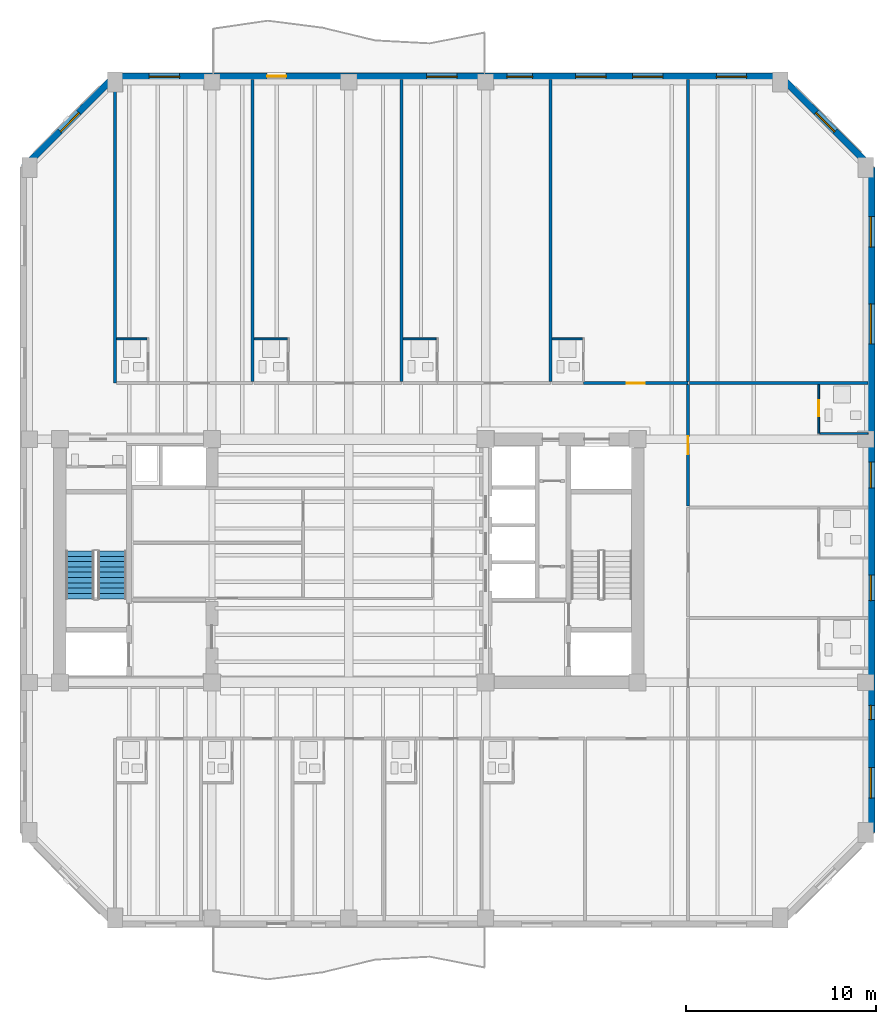
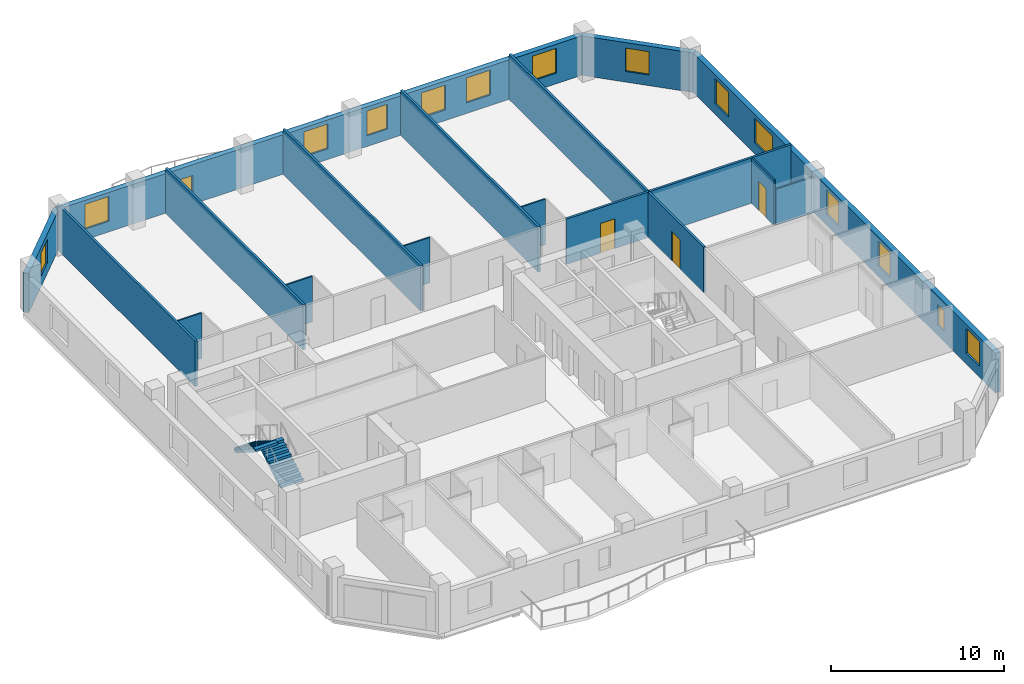
# One storey, part 6 of 11: 18 walls, 14 windows, 4 doors, 2 stair flights, 18 openings, 1 element without a shape of its own.
"""IFC4 building model written with IfcOpenShell, lengths in metres."""

from ifc_helpers import new_model, si_unit, direction, frame, frame_2d, origin, place, context, subcontext, project, spatial, polyline, rectangle, outline, extrude, material, layer, layer_set, type_object, element, fill, aggregate, save


model = new_model("IFC4")

# Units and contexts
model_context = context("Model", 3, precision=1e-05, world=origin(), true_north=direction((0.0, 1.0)))
body_context = subcontext(model_context, "Body", "Model", "MODEL_VIEW")
ifc_project = project(units=[si_unit("LENGTHUNIT", "METRE"), si_unit("AREAUNIT", "SQUARE_METRE"), si_unit("VOLUMEUNIT", "CUBIC_METRE"), si_unit("PLANEANGLEUNIT", "RADIAN"), si_unit("MASSUNIT", "GRAM", prefix="KILO")], contexts=[model_context])

# Site, building, storey
site_placement = place(None, origin())
site = spatial("IfcSite", under=ifc_project, at=site_placement, CompositionType="ELEMENT")
building_placement = place(site_placement, origin())
building = spatial("IfcBuilding", under=site, at=building_placement, Name="Kranthara Brick Stack", CompositionType="ELEMENT")
storey_placement = place(building_placement, frame((0.0, 0.0, 176.300048828125)))
storey = spatial("IfcBuildingStorey", under=building, at=storey_placement, Name="L45", CompositionType="ELEMENT", Elevation=176.300048828125)

# Wall, opening, window
ifc_material_1 = material(Name="Kiln-fired clay brick masonry M15", Category="masonry")
ifc_layer_1 = layer(ifc_material_1, 0.35009765625)
ifc_layer_set_1 = layer_set([ifc_layer_1], Name="Kiln-fired clay brick masonry M15")
wall_type_1 = type_object("IfcWallType", Name="WL-BRK-SPND-350", PredefinedType="STANDARD", material=ifc_layer_set_1)
wall_1_placement = place(storey_placement, frame((10.89501953125, 47.89990234375, 0.0), z_axis=(0.0, 0.0, 1.0), x_axis=(0.707088817216, 0.7071247447, 0.0)))
wall_1 = element("IfcWall", 1, at=wall_1_placement, inside=storey, type_object=wall_type_1, Name="L45 Exterior Brick Facade Wall NW 1", PredefinedType="STANDARD", context=body_context, shape_type="SweptSolid", body=[
    extrude(rectangle(XDim=6.79541015625, YDim=0.35009765625, at=frame_2d((3.397705078125, 0.0))), origin(), (0.0, 0.0, 1.0), 2.784912109375),
])
opening_1_placement = place(wall_1_placement, frame((2.697998046875, 0.0, 0.75)))
opening_1 = element("IfcOpeningElement", 2, at=opening_1_placement, cuts=wall_1, Name="Opening WN10", PredefinedType="OPENING", context=body_context, shape_type="SweptSolid", body=[
    extrude(rectangle(XDim=1.39990234375, YDim=1.64990234375, at=frame_2d((0.699951171875, 0.824951171875))), frame((0.0, 0.18505859375, 0.0), z_axis=(0.0, -1.0, 0.0), x_axis=(1.0, 0.0, 0.0)), (0.0, 0.0, 1.0), 0.3701171875),
])
ifc_material_2 = material(Name="Double-glazed low-E solar control glass", Category="glass")
window_type_1 = type_object("IfcWindowType", Name="WN-CHM-1400x1750", PartitioningType="SINGLE_PANEL", PredefinedType="WINDOW", material=ifc_material_2)
window_1_placement = place(opening_1_placement, origin())
window_1 = element("IfcWindow", 3, at=window_1_placement, inside=storey, type_object=window_type_1, Name="L45 NW Chamfer Corner Window", OverallHeight=1.64990234375, OverallWidth=1.39990234375, PartitioningType="SINGLE_PANEL", PredefinedType="WINDOW", context=body_context, shape_type="SweptSolid", body=[
    extrude(rectangle(XDim=1.39990234375, YDim=1.64990234375, at=frame_2d((0.699951171875, 0.824951171875))), frame((0.0, -0.010009765625, 0.0), z_axis=(0.0, -1.0, 0.0), x_axis=(1.0, 0.0, 0.0)), (0.0, 0.0, 1.0), 0.06005859375),
])
fill(opening_1, window_1)

# Wall, openings, door, windows
wall_2_placement = place(storey_placement, frame((15.699951171875, 52.705078125, 0.0), z_axis=(0.0, 0.0, 1.0), x_axis=(1.0, 0.0, 0.0)))
wall_2 = element("IfcWall", 4, at=wall_2_placement, inside=storey, type_object=wall_type_1, Name="L45 Exterior Brick Facade Wall NORTH 1", PredefinedType="STANDARD", context=body_context, shape_type="SweptSolid", body=[
    extrude(rectangle(XDim=35.0, YDim=0.35009765625, at=frame_2d((17.5, 0.0))), origin(), (0.0, 0.0, 1.0), 2.784912109375),
])
opening_2_placement = place(wall_2_placement, frame((8.0, 0.0, 0.0)))
opening_2 = element("IfcOpeningElement", 5, at=opening_2_placement, cuts=wall_2, Name="Opening D03", PredefinedType="OPENING", context=body_context, shape_type="SweptSolid", body=[
    extrude(rectangle(XDim=1.0, YDim=2.02001953125, at=frame_2d((0.5, 1.010009765625))), frame((0.0, 0.18505859375, 0.0), z_axis=(0.0, -1.0, 0.0), x_axis=(1.0, 0.0, 0.0)), (0.0, 0.0, 1.0), 0.3701171875),
])
opening_3_placement = place(wall_2_placement, frame((1.800048828125, 0.0, 0.75)))
opening_3 = element("IfcOpeningElement", 6, at=opening_3_placement, cuts=wall_2, Name="Opening WN04", PredefinedType="OPENING", context=body_context, shape_type="SweptSolid", body=[
    extrude(rectangle(XDim=1.60009765625, YDim=1.75, at=frame_2d((0.800048828125, 0.875))), frame((0.0, 0.18505859375, 0.0), z_axis=(0.0, -1.0, 0.0), x_axis=(1.0, 0.0, 0.0)), (0.0, 0.0, 1.0), 0.3701171875),
])
opening_4_placement = place(wall_2_placement, frame((16.39990234375, 0.0, 0.75)))
opening_4 = element("IfcOpeningElement", 7, at=opening_4_placement, cuts=wall_2, Name="Opening WN04", PredefinedType="OPENING", context=body_context, shape_type="SweptSolid", body=[
    extrude(rectangle(XDim=1.60009765625, YDim=1.75, at=frame_2d((0.800048828125, 0.875))), frame((0.0, 0.18505859375, 0.0), z_axis=(0.0, -1.0, 0.0), x_axis=(1.0, 0.0, 0.0)), (0.0, 0.0, 1.0), 0.3701171875),
])
opening_5_placement = place(wall_2_placement, frame((20.618896484375, 0.0, 0.75)))
opening_5 = element("IfcOpeningElement", 8, at=opening_5_placement, cuts=wall_2, Name="Opening WN06", PredefinedType="OPENING", context=body_context, shape_type="SweptSolid", body=[
    extrude(rectangle(XDim=1.35009765625, YDim=1.75, at=frame_2d((0.675048828125, 0.875))), frame((0.0, 0.18505859375, 0.0), z_axis=(0.0, -1.0, 0.0), x_axis=(1.0, 0.0, 0.0)), (0.0, 0.0, 1.0), 0.3701171875),
])
opening_6_placement = place(wall_2_placement, frame((24.235107421875, 0.0, 0.75)))
opening_6 = element("IfcOpeningElement", 9, at=opening_6_placement, cuts=wall_2, Name="Opening WN04", PredefinedType="OPENING", context=body_context, shape_type="SweptSolid", body=[
    extrude(rectangle(XDim=1.60009765625, YDim=1.75, at=frame_2d((0.800048828125, 0.875))), frame((0.0, 0.18505859375, 0.0), z_axis=(0.0, -1.0, 0.0), x_axis=(1.0, 0.0, 0.0)), (0.0, 0.0, 1.0), 0.3701171875),
])
opening_7_placement = place(wall_2_placement, frame((27.22900390625, 0.0, 0.75)))
opening_7 = element("IfcOpeningElement", 10, at=opening_7_placement, cuts=wall_2, Name="Opening WN04", PredefinedType="OPENING", context=body_context, shape_type="SweptSolid", body=[
    extrude(rectangle(XDim=1.60009765625, YDim=1.75, at=frame_2d((0.800048828125, 0.875))), frame((0.0, 0.18505859375, 0.0), z_axis=(0.0, -1.0, 0.0), x_axis=(1.0, 0.0, 0.0)), (0.0, 0.0, 1.0), 0.3701171875),
])
opening_8_placement = place(wall_2_placement, frame((31.636962890625, 0.0, 0.75)))
opening_8 = element("IfcOpeningElement", 11, at=opening_8_placement, cuts=wall_2, Name="Opening WN04", PredefinedType="OPENING", context=body_context, shape_type="SweptSolid", body=[
    extrude(rectangle(XDim=1.60009765625, YDim=1.75, at=frame_2d((0.800048828125, 0.875))), frame((0.0, 0.18505859375, 0.0), z_axis=(0.0, -1.0, 0.0), x_axis=(1.0, 0.0, 0.0)), (0.0, 0.0, 1.0), 0.3701171875),
])
ifc_material_3 = material(Name="Bronze anodised aluminium and laminated glass", Category="aluminium")
door_type_1 = type_object("IfcDoorType", Name="DR-BALC-1000", OperationType="NOTDEFINED", PredefinedType="DOOR", material=ifc_material_3)
door_1_placement = place(opening_2_placement, origin())
door_1 = element("IfcDoor", 12, at=door_1_placement, inside=storey, type_object=door_type_1, Name="L45 North Balcony Terrace Door", OperationType="SINGLE_SWING_RIGHT", OverallHeight=2.02001953125, OverallWidth=1.0, PredefinedType="DOOR", context=body_context, shape_type="SweptSolid", body=[
    extrude(rectangle(XDim=1.0, YDim=2.02001953125, at=frame_2d((0.5, 1.010009765625))), frame((0.0, 0.02490234375, 0.0), z_axis=(0.0, -1.0, 0.0), x_axis=(1.0, 0.0, 0.0)), (0.0, 0.0, 1.0), 0.050048828125),
])
fill(opening_2, door_1)
ifc_material_4 = material(Name="Double-glazed low-E solar control glass", Category="glass")
window_type_2 = type_object("IfcWindowType", Name="WN-HTL-1350x1850", PartitioningType="SINGLE_PANEL", PredefinedType="WINDOW", material=ifc_material_4)
window_2_placement = place(opening_5_placement, origin())
window_2 = element("IfcWindow", 13, at=window_2_placement, inside=storey, type_object=window_type_2, Name="L45 North Deep-Set Brick Window 03", OverallHeight=1.75, OverallWidth=1.35009765625, PartitioningType="SINGLE_PANEL", PredefinedType="WINDOW", context=body_context, shape_type="SweptSolid", body=[
    extrude(rectangle(XDim=1.35009765625, YDim=1.75, at=frame_2d((0.675048828125, 0.875))), frame((0.0, -0.010009765625, 0.0), z_axis=(0.0, -1.0, 0.0), x_axis=(1.0, 0.0, 0.0)), (0.0, 0.0, 1.0), 0.06005859375),
])
fill(opening_5, window_2)
ifc_material_5 = material(Name="Double-glazed low-E solar control glass", Category="glass")
window_type_3 = type_object("IfcWindowType", Name="WN-HTL-1600x1850", PartitioningType="DOUBLE_PANEL_VERTICAL", PredefinedType="WINDOW", material=ifc_material_5)
window_3_placement = place(opening_3_placement, origin())
window_3 = element("IfcWindow", 14, at=window_3_placement, inside=storey, type_object=window_type_3, Name="L45 North Deep-Set Brick Window 01", OverallHeight=1.75, OverallWidth=1.60009765625, PartitioningType="SINGLE_PANEL", PredefinedType="WINDOW", context=body_context, shape_type="SweptSolid", body=[
    extrude(rectangle(XDim=1.60009765625, YDim=1.75, at=frame_2d((0.800048828125, 0.875))), frame((0.0, -0.010009765625, 0.0), z_axis=(0.0, -1.0, 0.0), x_axis=(1.0, 0.0, 0.0)), (0.0, 0.0, 1.0), 0.06005859375),
])
fill(opening_3, window_3)
window_4_placement = place(opening_4_placement, origin())
window_4 = element("IfcWindow", 15, at=window_4_placement, inside=storey, type_object=window_type_3, Name="L45 North Deep-Set Brick Window 02", OverallHeight=1.75, OverallWidth=1.60009765625, PartitioningType="SINGLE_PANEL", PredefinedType="WINDOW", context=body_context, shape_type="SweptSolid", body=[
    extrude(rectangle(XDim=1.60009765625, YDim=1.75, at=frame_2d((0.800048828125, 0.875))), frame((0.0, -0.010009765625, 0.0), z_axis=(0.0, -1.0, 0.0), x_axis=(1.0, 0.0, 0.0)), (0.0, 0.0, 1.0), 0.06005859375),
])
fill(opening_4, window_4)
window_5_placement = place(opening_6_placement, origin())
window_5 = element("IfcWindow", 16, at=window_5_placement, inside=storey, type_object=window_type_3, Name="L45 North Deep-Set Brick Window 04", OverallHeight=1.75, OverallWidth=1.60009765625, PartitioningType="SINGLE_PANEL", PredefinedType="WINDOW", context=body_context, shape_type="SweptSolid", body=[
    extrude(rectangle(XDim=1.60009765625, YDim=1.75, at=frame_2d((0.800048828125, 0.875))), frame((0.0, -0.010009765625, 0.0), z_axis=(0.0, -1.0, 0.0), x_axis=(1.0, 0.0, 0.0)), (0.0, 0.0, 1.0), 0.06005859375),
])
fill(opening_6, window_5)
window_6_placement = place(opening_7_placement, origin())
window_6 = element("IfcWindow", 17, at=window_6_placement, inside=storey, type_object=window_type_3, Name="L45 North Deep-Set Brick Window 05", OverallHeight=1.75, OverallWidth=1.60009765625, PartitioningType="SINGLE_PANEL", PredefinedType="WINDOW", context=body_context, shape_type="SweptSolid", body=[
    extrude(rectangle(XDim=1.60009765625, YDim=1.75, at=frame_2d((0.800048828125, 0.875))), frame((0.0, -0.010009765625, 0.0), z_axis=(0.0, -1.0, 0.0), x_axis=(1.0, 0.0, 0.0)), (0.0, 0.0, 1.0), 0.06005859375),
])
fill(opening_7, window_6)
window_7_placement = place(opening_8_placement, origin())
window_7 = element("IfcWindow", 18, at=window_7_placement, inside=storey, type_object=window_type_3, Name="L45 North Deep-Set Brick Window 06", OverallHeight=1.75, OverallWidth=1.60009765625, PartitioningType="SINGLE_PANEL", PredefinedType="WINDOW", context=body_context, shape_type="SweptSolid", body=[
    extrude(rectangle(XDim=1.60009765625, YDim=1.75, at=frame_2d((0.800048828125, 0.875))), frame((0.0, -0.010009765625, 0.0), z_axis=(0.0, -1.0, 0.0), x_axis=(1.0, 0.0, 0.0)), (0.0, 0.0, 1.0), 0.06005859375),
])
fill(opening_8, window_7)

# Wall, opening, window
wall_3_placement = place(storey_placement, frame((50.699951171875, 52.705078125, 0.0), z_axis=(0.0, 0.0, 1.0), x_axis=(0.707088817216, -0.7071247447, 0.0)))
wall_3 = element("IfcWall", 19, at=wall_3_placement, inside=storey, type_object=wall_type_1, Name="L45 Exterior Brick Facade Wall NE 1", PredefinedType="STANDARD", context=body_context, shape_type="SweptSolid", body=[
    extrude(rectangle(XDim=6.79541015625, YDim=0.35009765625, at=frame_2d((3.397705078125, 0.0))), origin(), (0.0, 0.0, 1.0), 2.784912109375),
])
opening_9_placement = place(wall_3_placement, frame((2.697998046875, 0.0, 0.75)))
opening_9 = element("IfcOpeningElement", 20, at=opening_9_placement, cuts=wall_3, Name="Opening WN10", PredefinedType="OPENING", context=body_context, shape_type="SweptSolid", body=[
    extrude(rectangle(XDim=1.39990234375, YDim=1.64990234375, at=frame_2d((0.699951171875, 0.824951171875))), frame((0.0, 0.18505859375, 0.0), z_axis=(0.0, -1.0, 0.0), x_axis=(1.0, 0.0, 0.0)), (0.0, 0.0, 1.0), 0.3701171875),
])
window_8_placement = place(opening_9_placement, origin())
window_8 = element("IfcWindow", 21, at=window_8_placement, inside=storey, type_object=window_type_1, Name="L45 NE Chamfer Corner Window", OverallHeight=1.64990234375, OverallWidth=1.39990234375, PartitioningType="SINGLE_PANEL", PredefinedType="WINDOW", context=body_context, shape_type="SweptSolid", body=[
    extrude(rectangle(XDim=1.39990234375, YDim=1.64990234375, at=frame_2d((0.699951171875, 0.824951171875))), frame((0.0, -0.010009765625, 0.0), z_axis=(0.0, -1.0, 0.0), x_axis=(1.0, 0.0, 0.0)), (0.0, 0.0, 1.0), 0.06005859375),
])
fill(opening_9, window_8)

# Wall, openings, windows
wall_4_placement = place(storey_placement, frame((55.5048828125, 47.89990234375, 0.0), z_axis=(0.0, 0.0, 1.0), x_axis=(0.0, -1.0, 0.0)))
wall_4 = element("IfcWall", 22, at=wall_4_placement, inside=storey, type_object=wall_type_1, Name="L45 Exterior Brick Facade Wall EAST 1", PredefinedType="STANDARD", context=body_context, shape_type="SweptSolid", body=[
    extrude(rectangle(XDim=35.0, YDim=0.35009765625, at=frame_2d((17.5, 0.0))), origin(), (0.0, 0.0, 1.0), 2.784912109375),
])
opening_10_placement = place(wall_4_placement, frame((2.594970703125, 0.0, 0.75)))
opening_10 = element("IfcOpeningElement", 23, at=opening_10_placement, cuts=wall_4, Name="Opening WN04", PredefinedType="OPENING", context=body_context, shape_type="SweptSolid", body=[
    extrude(rectangle(XDim=1.60009765625, YDim=1.75, at=frame_2d((0.800048828125, 0.875))), frame((0.0, 0.18505859375, 0.0), z_axis=(0.0, -1.0, 0.0), x_axis=(1.0, 0.0, 0.0)), (0.0, 0.0, 1.0), 0.3701171875),
])
opening_11_placement = place(wall_4_placement, frame((7.180908203125, 0.0, 0.75)))
opening_11 = element("IfcOpeningElement", 24, at=opening_11_placement, cuts=wall_4, Name="Opening WN05", PredefinedType="OPENING", context=body_context, shape_type="SweptSolid", body=[
    extrude(rectangle(XDim=2.10009765625, YDim=1.75, at=frame_2d((1.050048828125, 0.875))), frame((0.0, 0.18505859375, 0.0), z_axis=(0.0, -1.0, 0.0), x_axis=(1.0, 0.0, 0.0)), (0.0, 0.0, 1.0), 0.3701171875),
])
opening_12_placement = place(wall_4_placement, frame((15.511962890625, 0.0, 0.75)))
opening_12 = element("IfcOpeningElement", 25, at=opening_12_placement, cuts=wall_4, Name="Opening WN06", PredefinedType="OPENING", context=body_context, shape_type="SweptSolid", body=[
    extrude(rectangle(XDim=1.35009765625, YDim=1.75, at=frame_2d((0.675048828125, 0.875))), frame((0.0, 0.18505859375, 0.0), z_axis=(0.0, -1.0, 0.0), x_axis=(1.0, 0.0, 0.0)), (0.0, 0.0, 1.0), 0.3701171875),
])
opening_13_placement = place(wall_4_placement, frame((21.449951171875, 0.0, 0.75)))
opening_13 = element("IfcOpeningElement", 26, at=opening_13_placement, cuts=wall_4, Name="Opening WN06", PredefinedType="OPENING", context=body_context, shape_type="SweptSolid", body=[
    extrude(rectangle(XDim=1.35009765625, YDim=1.75, at=frame_2d((0.675048828125, 0.875))), frame((0.0, 0.18505859375, 0.0), z_axis=(0.0, -1.0, 0.0), x_axis=(1.0, 0.0, 0.0)), (0.0, 0.0, 1.0), 0.3701171875),
])
opening_14_placement = place(wall_4_placement, frame((31.587890625, 0.0, 0.75)))
opening_14 = element("IfcOpeningElement", 27, at=opening_14_placement, cuts=wall_4, Name="Opening WN04", PredefinedType="OPENING", context=body_context, shape_type="SweptSolid", body=[
    extrude(rectangle(XDim=1.60009765625, YDim=1.75, at=frame_2d((0.800048828125, 0.875))), frame((0.0, 0.18505859375, 0.0), z_axis=(0.0, -1.0, 0.0), x_axis=(1.0, 0.0, 0.0)), (0.0, 0.0, 1.0), 0.3701171875),
])
opening_15_placement = place(wall_4_placement, frame((28.31201171875, 0.0, 0.75)))
opening_15 = element("IfcOpeningElement", 28, at=opening_15_placement, cuts=wall_4, Name="Opening WN13", PredefinedType="OPENING", context=body_context, shape_type="SweptSolid", body=[
    extrude(rectangle(XDim=0.75, YDim=1.449951171875, at=frame_2d((0.375, 0.72509765625))), frame((0.0, 0.18505859375, 0.0), z_axis=(0.0, -1.0, 0.0), x_axis=(1.0, 0.0, 0.0)), (0.0, 0.0, 1.0), 0.3701171875),
])
ifc_material_6 = material(Name="Double-glazed low-E solar control glass", Category="glass")
window_type_4 = type_object("IfcWindowType", Name="WN-CAS-750x1450", PartitioningType="SINGLE_PANEL", PredefinedType="WINDOW", material=ifc_material_6)
window_9_placement = place(opening_15_placement, origin())
window_9 = element("IfcWindow", 29, at=window_9_placement, inside=storey, type_object=window_type_4, Name="L45 East Deep-Set Casement Window 06", OverallHeight=1.449951171875, OverallWidth=0.75, PartitioningType="SINGLE_PANEL", PredefinedType="WINDOW", context=body_context, shape_type="SweptSolid", body=[
    extrude(rectangle(XDim=0.75, YDim=1.449951171875, at=frame_2d((0.375, 0.72509765625))), frame((0.0, -0.010009765625, 0.0), z_axis=(0.0, -1.0, 0.0), x_axis=(1.0, 0.0, 0.0)), (0.0, 0.0, 1.0), 0.06005859375),
])
fill(opening_15, window_9)
window_10_placement = place(opening_12_placement, origin())
window_10 = element("IfcWindow", 30, at=window_10_placement, inside=storey, type_object=window_type_2, Name="L45 East Deep-Set Brick Window 03", OverallHeight=1.75, OverallWidth=1.35009765625, PartitioningType="SINGLE_PANEL", PredefinedType="WINDOW", context=body_context, shape_type="SweptSolid", body=[
    extrude(rectangle(XDim=1.35009765625, YDim=1.75, at=frame_2d((0.675048828125, 0.875))), frame((0.0, -0.010009765625, 0.0), z_axis=(0.0, -1.0, 0.0), x_axis=(1.0, 0.0, 0.0)), (0.0, 0.0, 1.0), 0.06005859375),
])
fill(opening_12, window_10)
window_11_placement = place(opening_13_placement, origin())
window_11 = element("IfcWindow", 31, at=window_11_placement, inside=storey, type_object=window_type_2, Name="L45 East Deep-Set Brick Window 04", OverallHeight=1.75, OverallWidth=1.35009765625, PartitioningType="SINGLE_PANEL", PredefinedType="WINDOW", context=body_context, shape_type="SweptSolid", body=[
    extrude(rectangle(XDim=1.35009765625, YDim=1.75, at=frame_2d((0.675048828125, 0.875))), frame((0.0, -0.010009765625, 0.0), z_axis=(0.0, -1.0, 0.0), x_axis=(1.0, 0.0, 0.0)), (0.0, 0.0, 1.0), 0.06005859375),
])
fill(opening_13, window_11)
window_12_placement = place(opening_10_placement, origin())
window_12 = element("IfcWindow", 32, at=window_12_placement, inside=storey, type_object=window_type_3, Name="L45 East Deep-Set Brick Window 01", OverallHeight=1.75, OverallWidth=1.60009765625, PartitioningType="SINGLE_PANEL", PredefinedType="WINDOW", context=body_context, shape_type="SweptSolid", body=[
    extrude(rectangle(XDim=1.60009765625, YDim=1.75, at=frame_2d((0.800048828125, 0.875))), frame((0.0, -0.010009765625, 0.0), z_axis=(0.0, -1.0, 0.0), x_axis=(1.0, 0.0, 0.0)), (0.0, 0.0, 1.0), 0.06005859375),
])
fill(opening_10, window_12)
window_13_placement = place(opening_14_placement, origin())
window_13 = element("IfcWindow", 33, at=window_13_placement, inside=storey, type_object=window_type_3, Name="L45 East Deep-Set Brick Window 05", OverallHeight=1.75, OverallWidth=1.60009765625, PartitioningType="SINGLE_PANEL", PredefinedType="WINDOW", context=body_context, shape_type="SweptSolid", body=[
    extrude(rectangle(XDim=1.60009765625, YDim=1.75, at=frame_2d((0.800048828125, 0.875))), frame((0.0, -0.010009765625, 0.0), z_axis=(0.0, -1.0, 0.0), x_axis=(1.0, 0.0, 0.0)), (0.0, 0.0, 1.0), 0.06005859375),
])
fill(opening_14, window_13)
ifc_material_7 = material(Name="Double-glazed low-E solar control glass", Category="glass")
window_type_5 = type_object("IfcWindowType", Name="WN-HTL-2100x1850", PartitioningType="DOUBLE_PANEL_VERTICAL", PredefinedType="WINDOW", material=ifc_material_7)
window_14_placement = place(opening_11_placement, origin())
window_14 = element("IfcWindow", 34, at=window_14_placement, inside=storey, type_object=window_type_5, Name="L45 East Deep-Set Brick Window 02", OverallHeight=1.75, OverallWidth=2.10009765625, PartitioningType="SINGLE_PANEL", PredefinedType="WINDOW", context=body_context, shape_type="SweptSolid", body=[
    extrude(rectangle(XDim=2.10009765625, YDim=1.75, at=frame_2d((1.050048828125, 0.875))), frame((0.0, -0.010009765625, 0.0), z_axis=(0.0, -1.0, 0.0), x_axis=(1.0, 0.0, 0.0)), (0.0, 0.0, 1.0), 0.06005859375),
])
fill(opening_11, window_14)

# Walls
ifc_material_8 = material(Name="Moisture-resistant wet-room partition", Category="other")
ifc_layer_2 = layer(ifc_material_8, 0.10009765625)
ifc_layer_set_2 = layer_set([ifc_layer_2], Name="Moisture-resistant wet-room partition")
wall_type_2 = type_object("IfcWallType", Name="WL-PART-100", PredefinedType="PARTITIONING", material=ifc_layer_set_2)
wall_5_placement = place(storey_placement, frame((15.780029296875, 38.8798828125, 0.0), z_axis=(0.0, 0.0, 1.0), x_axis=(1.0, 0.0, 0.0)))
element("IfcWall", 35, at=wall_5_placement, inside=storey, type_object=wall_type_2, Name="L45 Interior Partition 041", PredefinedType="PARTITIONING", context=body_context, shape_type="SweptSolid", body=[
    extrude(rectangle(XDim=1.6015625, YDim=0.10009765625, at=frame_2d((0.80078125, 0.0))), origin(), (0.0, 0.0, 1.0), 3.199951171875),
])
for number, where, z_axis, x_axis, name in (
    (36, (23.01611328125, 38.8798828125, 0.0), (0.0, 0.0, 1.0), (1.0, 0.0, 0.0), "L45 Interior Partition 046"),
    (37, (30.85498046875, 38.8798828125, 0.0), (0.0, 0.0, 1.0), (1.0, 0.0, 0.0), "L45 Interior Partition 051"),
):
    element("IfcWall", number, at=place(storey_placement, frame(where, z_axis=z_axis, x_axis=x_axis)), inside=storey, type_object=wall_type_2, Name=name, PredefinedType="PARTITIONING", context=body_context, shape_type="SweptSolid", body=[
        extrude(rectangle(XDim=1.746337890625, YDim=0.10009765625, at=frame_2d((0.873046875, 0.0))), origin(), (0.0, 0.0, 1.0), 3.199951171875),
    ])
wall_6_placement = place(storey_placement, frame((38.694091796875, 38.8798828125, 0.0), z_axis=(0.0, 0.0, 1.0), x_axis=(1.0, 0.0, 0.0)))
element("IfcWall", 38, at=wall_6_placement, inside=storey, type_object=wall_type_2, Name="L45 Interior Partition 056", PredefinedType="PARTITIONING", context=body_context, shape_type="SweptSolid", body=[
    extrude(rectangle(XDim=1.6015625, YDim=0.10009765625, at=frame_2d((0.80078125, 0.0))), origin(), (0.0, 0.0, 1.0), 3.199951171875),
])

# Wall, opening, door
wall_7_placement = place(storey_placement, frame((52.72998046875, 33.89990234375, 0.0), z_axis=(0.0, 0.0, 1.0), x_axis=(0.0, 1.0, 0.0)))
wall_7 = element("IfcWall", 39, at=wall_7_placement, inside=storey, type_object=wall_type_2, Name="L45 Interior Partition 069", PredefinedType="PARTITIONING", context=body_context, shape_type="SweptSolid", body=[
    extrude(rectangle(XDim=2.570068359375, YDim=0.10009765625, at=frame_2d((1.28515625, 0.0))), origin(), (0.0, 0.0, 1.0), 3.199951171875),
])
opening_16_placement = place(wall_7_placement, frame((0.905029296875, 0.0, 0.0)))
opening_16 = element("IfcOpeningElement", 40, at=opening_16_placement, cuts=wall_7, Name="Opening D17", PredefinedType="OPENING", context=body_context, shape_type="SweptSolid", body=[
    extrude(rectangle(XDim=0.85009765625, YDim=2.050048828125, at=frame_2d((0.425048828125, 1.02490234375))), frame((0.0, 0.06005859375, 0.0), z_axis=(0.0, -1.0, 0.0), x_axis=(1.0, 0.0, 0.0)), (0.0, 0.0, 1.0), 0.1201171875),
])
ifc_material_9 = material(Name="Solid-core hardwood timber leaf in steel frame", Category="steel")
door_type_2 = type_object("IfcDoorType", Name="DR-WET-850", OperationType="NOTDEFINED", PredefinedType="DOOR", material=ifc_material_9)
door_2_placement = place(opening_16_placement, origin())
door_2 = element("IfcDoor", 41, at=door_2_placement, inside=storey, type_object=door_type_2, Name="L45 East Key 13 Bath 30", OperationType="SINGLE_SWING_RIGHT", OverallHeight=2.050048828125, OverallWidth=0.85009765625, PredefinedType="DOOR", context=body_context, shape_type="SweptSolid", body=[
    extrude(rectangle(XDim=0.85009765625, YDim=2.050048828125, at=frame_2d((0.425048828125, 1.02490234375))), frame((0.0, 0.02490234375, 0.0), z_axis=(0.0, -1.0, 0.0), x_axis=(1.0, 0.0, 0.0)), (0.0, 0.0, 1.0), 0.050048828125),
])
fill(opening_16, door_2)

# Walls
wall_8_placement = place(storey_placement, frame((52.784912109375, 33.89990234375, 0.0), z_axis=(0.0, 0.0, 1.0), x_axis=(1.0, 0.0, 0.0)))
element("IfcWall", 42, at=wall_8_placement, inside=storey, type_object=wall_type_2, Name="L45 Interior Partition 070", PredefinedType="PARTITIONING", context=body_context, shape_type="SweptSolid", body=[
    extrude(rectangle(XDim=2.5400390625, YDim=0.10009765625, at=frame_2d((1.27001953125, 0.0))), origin(), (0.0, 0.0, 1.0), 2.534912109375),
])
ifc_material_10 = material(Name="Fire-rated gypsum board partition", Category="other")
ifc_layer_3 = layer(ifc_material_10, 0.14990234375)
ifc_layer_set_3 = layer_set([ifc_layer_3], Name="Fire-rated gypsum board partition")
wall_type_3 = type_object("IfcWallType", Name="WL-PART-150", PredefinedType="PARTITIONING", material=ifc_layer_set_3)
wall_9_placement = place(storey_placement, frame((15.699951171875, 36.550048828125, 0.0), z_axis=(0.0, 0.0, 1.0), x_axis=(0.0, 1.0, 0.0)))
element("IfcWall", 43, at=wall_9_placement, inside=storey, type_object=wall_type_3, Name="L45 Interior Partition 037", PredefinedType="PARTITIONING", context=body_context, shape_type="SweptSolid", body=[
    extrude(rectangle(XDim=15.974853515625, YDim=0.14990234375, at=frame_2d((7.9873046875, 0.0))), origin(), (0.0, 0.0, 1.0), 3.199951171875),
])
for number, where, z_axis, x_axis, name in (
    (44, (22.93603515625, 36.6298828125, 0.0), (0.0, 0.0, 1.0), (0.0, 1.0, 0.0), "L45 Interior Partition 042"),
    (45, (30.77490234375, 36.6298828125, 0.0), (0.0, 0.0, 1.0), (0.0, 1.0, 0.0), "L45 Interior Partition 047"),
    (46, (38.614013671875, 36.6298828125, 0.0), (0.0, 0.0, 1.0), (0.0, 1.0, 0.0), "L45 Interior Partition 052"),
):
    element("IfcWall", number, at=place(storey_placement, frame(where, z_axis=z_axis, x_axis=x_axis)), inside=storey, type_object=wall_type_3, Name=name, PredefinedType="PARTITIONING", context=body_context, shape_type="SweptSolid", body=[
        extrude(rectangle(XDim=15.89501953125, YDim=0.14990234375, at=frame_2d((7.947509765625, 0.0))), origin(), (0.0, 0.0, 1.0), 3.199951171875),
    ])

# Wall, opening, door
wall_10_placement = place(storey_placement, frame((40.3505859375, 36.550048828125, 0.0), z_axis=(0.0, 0.0, 1.0), x_axis=(1.0, 0.0, 0.0)))
wall_10 = element("IfcWall", 47, at=wall_10_placement, inside=storey, type_object=wall_type_3, Name="L45 Interior Partition 054", PredefinedType="PARTITIONING", context=body_context, shape_type="SweptSolid", body=[
    extrude(rectangle(XDim=5.49951171875, YDim=0.14990234375, at=frame_2d((2.749755859375, 0.0))), origin(), (0.0, 0.0, 1.0), 3.199951171875),
])
opening_17_placement = place(wall_10_placement, frame((2.27001953125, 0.0, 0.0)))
opening_17 = element("IfcOpeningElement", 48, at=opening_17_placement, cuts=wall_10, Name="Opening D09", PredefinedType="OPENING", context=body_context, shape_type="SweptSolid", body=[
    extrude(rectangle(XDim=0.949951171875, YDim=2.10009765625, at=frame_2d((0.47509765625, 1.050048828125))), frame((0.0, 0.0849609375, 0.0), z_axis=(0.0, -1.0, 0.0), x_axis=(1.0, 0.0, 0.0)), (0.0, 0.0, 1.0), 0.169921875),
])
ifc_material_11 = material(Name="Solid-core hardwood timber leaf in steel frame", Category="steel")
door_type_3 = type_object("IfcDoorType", Name="DR-FD-950", OperationType="NOTDEFINED", PredefinedType="DOOR", material=ifc_material_11)
door_3_placement = place(opening_17_placement, origin())
door_3 = element("IfcDoor", 49, at=door_3_placement, inside=storey, type_object=door_type_3, Name="L45 Key 10 Entry 25", OperationType="SINGLE_SWING_LEFT", OverallHeight=2.10009765625, OverallWidth=0.949951171875, PredefinedType="DOOR", context=body_context, shape_type="SweptSolid", body=[
    extrude(rectangle(XDim=0.949951171875, YDim=2.10009765625, at=frame_2d((0.47509765625, 1.050048828125))), frame((0.0, 0.02490234375, 0.0), z_axis=(0.0, -1.0, 0.0), x_axis=(1.0, 0.0, 0.0)), (0.0, 0.0, 1.0), 0.050048828125),
])
fill(opening_17, door_3)

# Walls
wall_11_placement = place(storey_placement, frame((45.85009765625, 36.6298828125, 0.0), z_axis=(0.0, 0.0, 1.0), x_axis=(0.0, 1.0, 0.0)))
element("IfcWall", 50, at=wall_11_placement, inside=storey, type_object=wall_type_3, Name="L45 Interior Partition 057", PredefinedType="PARTITIONING", context=body_context, shape_type="SweptSolid", body=[
    extrude(rectangle(XDim=15.89501953125, YDim=0.14990234375, at=frame_2d((7.947509765625, 0.0))), origin(), (0.0, 0.0, 1.0), 3.199951171875),
])
wall_12_placement = place(storey_placement, frame((45.929931640625, 36.550048828125, 0.0), z_axis=(0.0, 0.0, 1.0), x_axis=(1.0, 0.0, 0.0)))
element("IfcWall", 51, at=wall_12_placement, inside=storey, type_object=wall_type_3, Name="L45 Interior Partition 059", PredefinedType="PARTITIONING", context=body_context, shape_type="SweptSolid", body=[
    extrude(rectangle(XDim=9.39501953125, YDim=0.14990234375, at=frame_2d((4.697509765625, 0.0))), origin(), (0.0, 0.0, 1.0), 3.199951171875),
])

# Wall, opening, door
wall_13_placement = place(storey_placement, frame((45.85009765625, 30.080078125, 0.0), z_axis=(0.0, 0.0, 1.0), x_axis=(0.0, 1.0, 0.0)))
wall_13 = element("IfcWall", 52, at=wall_13_placement, inside=storey, type_object=wall_type_3, Name="L45 Interior Partition 068", PredefinedType="PARTITIONING", context=body_context, shape_type="SweptSolid", body=[
    extrude(rectangle(XDim=6.389892578125, YDim=0.14990234375, at=frame_2d((3.19482421875, 0.0))), origin(), (0.0, 0.0, 1.0), 3.199951171875),
])
opening_18_placement = place(wall_13_placement, frame((2.715087890625, 0.0, 0.0)))
opening_18 = element("IfcOpeningElement", 53, at=opening_18_placement, cuts=wall_13, Name="Opening D09", PredefinedType="OPENING", context=body_context, shape_type="SweptSolid", body=[
    extrude(rectangle(XDim=0.949951171875, YDim=2.10009765625, at=frame_2d((0.47509765625, 1.050048828125))), frame((0.0, 0.0849609375, 0.0), z_axis=(0.0, -1.0, 0.0), x_axis=(1.0, 0.0, 0.0)), (0.0, 0.0, 1.0), 0.169921875),
])
door_4_placement = place(opening_18_placement, origin())
door_4 = element("IfcDoor", 54, at=door_4_placement, inside=storey, type_object=door_type_3, Name="L45 East Key 13 31", OperationType="SINGLE_SWING_LEFT", OverallHeight=2.10009765625, OverallWidth=0.949951171875, PredefinedType="DOOR", context=body_context, shape_type="SweptSolid", body=[
    extrude(rectangle(XDim=0.949951171875, YDim=2.10009765625, at=frame_2d((0.47509765625, 1.050048828125))), frame((0.0, 0.02490234375, 0.0), z_axis=(0.0, -1.0, 0.0), x_axis=(1.0, 0.0, 0.0)), (0.0, 0.0, 1.0), 0.050048828125),
])
fill(opening_18, door_4)

# Stair, stair flights
ifc_material_12 = material(Name="Concrete C45/55", Category="concrete")
stair_type = type_object("IfcStairType", Name="ST-CORE-20R", PredefinedType="HALF_TURN_STAIR", material=ifc_material_12)
stair_placement = place(storey_placement, origin())
stair = element("IfcStair", 55, at=stair_placement, inside=storey, type_object=stair_type, Name="L45 West Core Protected Exit Stair ST01", PredefinedType="HALF_TURN_STAIR")
ifc_material_13 = material(Name="Concrete C45/55", Category="concrete")
stair_flight_type = type_object("IfcStairFlightType", Name="SFL-RC-20R", PredefinedType="STRAIGHT", material=ifc_material_13)
stair_flight_1_placement = place(storey_placement, frame((15.550048828125, 25.199951171875, 0.0), z_axis=(0.0, 0.0, 1.0), x_axis=(0.0, 1.0, 0.0)))
stair_flight_1 = element("IfcStairFlight", 56, at=stair_flight_1_placement, type_object=stair_flight_type, Name="ST01 flight 1", NumberOfRisers=10, NumberOfTreads=9, PredefinedType="STRAIGHT", RiserHeight=0.175, TreadLength=0.28, context=body_context, shape_type="SweptSolid", body=[
    extrude(outline(polyline([(0.0, 0.0), (0.0, 0.175048828125), (0.280029296875, 0.175048828125), (0.280029296875, 0.35009765625), (0.56005859375, 0.35009765625), (0.56005859375, 0.52490234375), (0.840087890625, 0.52490234375), (0.840087890625, 0.699951171875), (1.1201171875, 0.699951171875), (1.1201171875, 0.875), (1.39990234375, 0.875), (1.39990234375, 1.050048828125), (1.679931640625, 1.050048828125), (1.679931640625, 1.22509765625), (1.9599609375, 1.22509765625), (1.9599609375, 1.39990234375), (2.239990234375, 1.39990234375), (2.239990234375, 1.574951171875), (2.52001953125, 1.574951171875), (2.52001953125, 1.75), (2.52001953125, 1.398193359375), (0.28271484375, 0.0), (0.0, 0.0)])), frame((0.0, 0.75, 0.0), z_axis=(0.0, -1.0, 0.0), x_axis=(1.0, 0.0, 0.0)), (0.0, 0.0, 1.0), 1.5),
])
stair_flight_2_placement = place(storey_placement, frame((13.85009765625, 27.719970703125, 1.75), z_axis=(0.0, 0.0, 1.0), x_axis=(0.0, -1.0, 0.0)))
stair_flight_2 = element("IfcStairFlight", 57, at=stair_flight_2_placement, type_object=stair_flight_type, Name="ST01 flight 2", NumberOfRisers=10, NumberOfTreads=9, PredefinedType="STRAIGHT", RiserHeight=0.175, TreadLength=0.28, context=body_context, shape_type="SweptSolid", body=[
    extrude(outline(polyline([(0.0, 0.0), (0.0, 0.175048828125), (0.280029296875, 0.175048828125), (0.280029296875, 0.35009765625), (0.56005859375, 0.35009765625), (0.56005859375, 0.52490234375), (0.840087890625, 0.52490234375), (0.840087890625, 0.699951171875), (1.1201171875, 0.699951171875), (1.1201171875, 0.875), (1.39990234375, 0.875), (1.39990234375, 1.050048828125), (1.679931640625, 1.050048828125), (1.679931640625, 1.22509765625), (1.9599609375, 1.22509765625), (1.9599609375, 1.39990234375), (2.239990234375, 1.39990234375), (2.239990234375, 1.574951171875), (2.52001953125, 1.574951171875), (2.52001953125, 1.75), (2.52001953125, 1.398193359375), (0.28271484375, 0.0), (0.0, 0.0)])), frame((0.0, 0.75, 0.0), z_axis=(0.0, -1.0, 0.0), x_axis=(1.0, 0.0, 0.0)), (0.0, 0.0, 1.0), 1.5),
])
aggregate(stair, [stair_flight_1, stair_flight_2])

save(model, "model.ifc")
